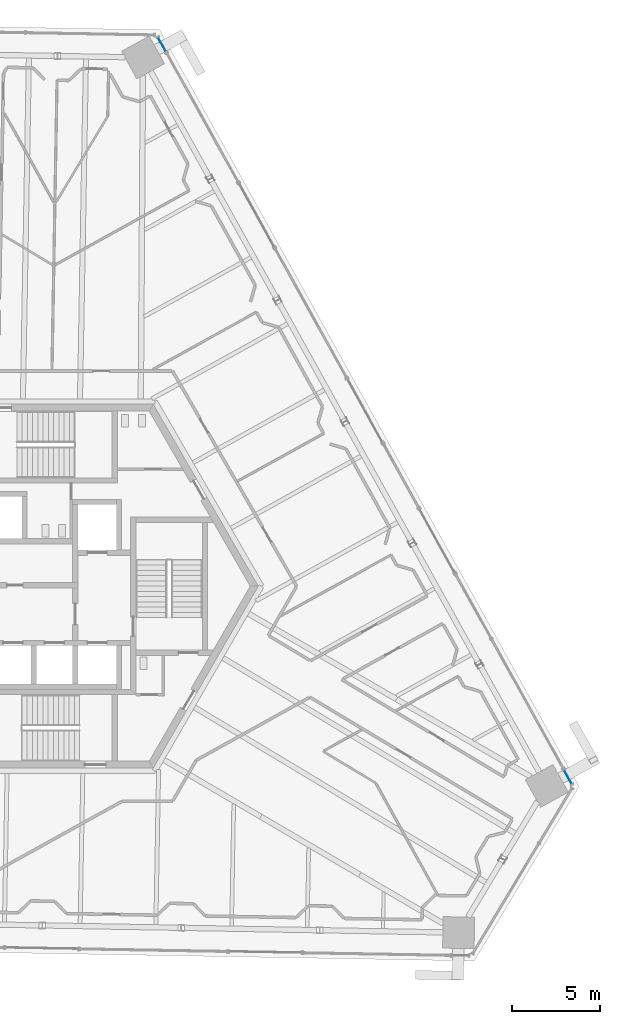
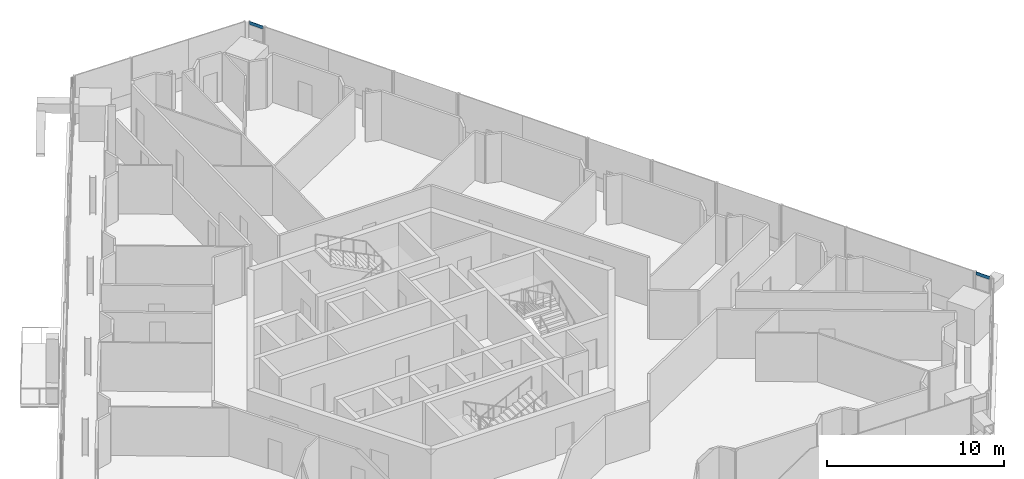
# One storey, part 14 of 24: 2 plates, 2 elements without a shape of their own.
"""IFC4 building model written with IfcOpenShell, lengths in metres."""

import ifcopenshell
import ifcopenshell.guid

model = None  # the IFC model being written
_history = None  # IfcOwnerHistory: only IFC2X3 demands one
_inside = {}  # id of a spatial element -> (the spatial element, [elements in it])
_under = {}  # id of a project, library or spatial element -> (it, [spatial elements below it])
_declared = {}  # id of a project -> (the project, [libraries it declares])
_typed = {}  # id of a type object -> (the type object, [elements of that type])
_made_of = {}  # id of a material, layer set ... -> (it, [elements and type objects made of it])


def new_model(schema):
    """Start an empty IFC model of exactly this schema.

    Asked for "IFC4X3", IfcOpenShell would pick the latest addendum, in which some entities
    have other attributes; the version numbers below select the first issue.
    IFC2X3 requires an IfcOwnerHistory on every rooted entity: one is made here for all.
    """
    global model, _history
    if schema == "IFC4X3":
        model = ifcopenshell.file(schema_version=(4, 3, 0, 0))
    else:
        model = ifcopenshell.file(schema=schema)
    _inside.clear()
    _under.clear()
    _declared.clear()
    _typed.clear()
    _made_of.clear()
    _history = None
    if model.schema == "IFC2X3":
        org = make("IfcOrganization", Name="unknown")
        user = make(
            "IfcPersonAndOrganization",
            ThePerson=make("IfcPerson", FamilyName="unknown"),
            TheOrganization=org,
        )
        app = make(
            "IfcApplication",
            ApplicationDeveloper=org,
            Version="unknown",
            ApplicationFullName="unknown",
            ApplicationIdentifier="unknown",
        )
        _history = make(
            "IfcOwnerHistory",
            OwningUser=user,
            OwningApplication=app,
            ChangeAction="ADDED",
            CreationDate=0,
        )
    return model


def make(cls, **values):
    """One entity of the class cls with the attributes given. An attribute that is None is left unset."""
    return model.create_entity(
        cls, **{name: value for name, value in values.items() if value is not None}
    )


def rooted(cls, **values):
    """An entity with a GlobalId (a new one), such as an element, a storey or a relation."""
    return make(cls, GlobalId=ifcopenshell.guid.new(), OwnerHistory=_history, **values)


def si_unit(unit_type, name, prefix=None):
    """IfcSIUnit, for example si_unit("LENGTHUNIT", "METRE", prefix="MILLI")."""
    return make("IfcSIUnit", UnitType=unit_type, Prefix=prefix, Name=name)


def assignment(units):
    """IfcUnitAssignment: the units of a project."""
    return None if units is None else make("IfcUnitAssignment", Units=units)


def point(xyz):
    """IfcCartesianPoint."""
    return None if xyz is None else make("IfcCartesianPoint", Coordinates=xyz)


def direction(xyz):
    """IfcDirection."""
    return None if xyz is None else make("IfcDirection", DirectionRatios=xyz)


def frame(location, z_axis=None, x_axis=None):
    """IfcAxis2Placement3D, a coordinate frame: its origin and axes. An axis left out is left unset."""
    return make(
        "IfcAxis2Placement3D",
        Location=point(location),
        Axis=direction(z_axis),
        RefDirection=direction(x_axis),
    )


def frame_2d(location, x_axis=None):
    """IfcAxis2Placement2D, a coordinate frame in the plane: its origin and x axis."""
    return make(
        "IfcAxis2Placement2D", Location=point(location), RefDirection=direction(x_axis)
    )


def origin():
    """The frame at (0, 0, 0) with its axes left unset."""
    return frame((0.0, 0.0, 0.0))


def origin_2d():
    """The frame at (0, 0) in the plane with its x axis left unset."""
    return frame_2d((0.0, 0.0))


def place(relative_to, where):
    """IfcLocalPlacement: puts the frame where relative to a parent placement (None: the world)."""
    return make(
        "IfcLocalPlacement", PlacementRelTo=relative_to, RelativePlacement=where
    )


def context(
    kind, dimensions, precision=None, world=None, true_north=None, identifier=None
):
    """IfcGeometricRepresentationContext, for example the 3D "Model" context."""
    return make(
        "IfcGeometricRepresentationContext",
        ContextIdentifier=identifier,
        ContextType=kind,
        CoordinateSpaceDimension=dimensions,
        Precision=precision,
        WorldCoordinateSystem=world,
        TrueNorth=true_north,
    )


def subcontext(parent, identifier, kind, view, scale=None):
    """IfcGeometricRepresentationSubContext, for example "Body" below "Model"."""
    return make(
        "IfcGeometricRepresentationSubContext",
        ContextIdentifier=identifier,
        ContextType=kind,
        ParentContext=parent,
        TargetScale=scale,
        TargetView=view,
    )


def project(units=None, contexts=None):
    """IfcProject with its units and contexts."""
    return rooted(
        "IfcProject",
        Name="project",
        RepresentationContexts=contexts,
        UnitsInContext=assignment(units),
    )


def spatial(cls, under=None, at=None, **own):
    """A site, building, storey or space (cls), placed at a placement, below another one or the project."""
    s = rooted(cls, ObjectPlacement=at, **own)
    if under is not None:
        _under.setdefault(under.id(), (under, []))[1].append(s)
    return s


def profile(cls, at=None, kind="AREA", **sizes):
    """A parametric profile (cls). Its sizes go by their IFC names, for example OverallWidth=200.0."""
    return make(cls, ProfileType=kind, Position=at, **sizes)


def rectangle(**sizes):
    """IfcRectangleProfileDef."""
    return profile("IfcRectangleProfileDef", **sizes)


def extrude(swept, where, along, depth):
    """IfcExtrudedAreaSolid: the profile swept, set in the frame where, extruded along a direction by depth."""
    return make(
        "IfcExtrudedAreaSolid",
        SweptArea=swept,
        Position=where,
        ExtrudedDirection=direction(along),
        Depth=depth,
    )


def shape(context_of_items, identifier, shape_type, items):
    """IfcShapeRepresentation: the items that make up one representation, for example the "Body"."""
    return make(
        "IfcShapeRepresentation",
        ContextOfItems=context_of_items,
        RepresentationIdentifier=identifier,
        RepresentationType=shape_type,
        Items=items,
    )


def source(mapping_origin, context_of_items, identifier, shape_type, items):
    """IfcRepresentationMap: a shape defined once, which mapped items show again and again."""
    return make(
        "IfcRepresentationMap",
        MappingOrigin=mapping_origin,
        MappedRepresentation=shape(context_of_items, identifier, shape_type, items),
    )


def transform(
    local_origin,
    x_axis=None,
    y_axis=None,
    z_axis=None,
    scale=None,
    scale2=None,
    scale3=None,
    uniform=True,
):
    """IfcCartesianTransformationOperator3D, or its non-uniform kind. x_axis, y_axis, z_axis: its Axis1, 2, 3."""
    if uniform:
        return make(
            "IfcCartesianTransformationOperator3D",
            Axis1=direction(x_axis),
            Axis2=direction(y_axis),
            LocalOrigin=point(local_origin),
            Scale=scale,
            Axis3=direction(z_axis),
        )
    return make(
        "IfcCartesianTransformationOperator3DnonUniform",
        Axis1=direction(x_axis),
        Axis2=direction(y_axis),
        LocalOrigin=point(local_origin),
        Scale=scale,
        Axis3=direction(z_axis),
        Scale2=scale2,
        Scale3=scale3,
    )


def mapped(mapping_source, mapping_target):
    """IfcMappedItem: shows the shape of a source again, moved by a transform."""
    return make(
        "IfcMappedItem", MappingSource=mapping_source, MappingTarget=mapping_target
    )


def material(Name=None, Category=None):
    """IfcMaterial."""
    return make("IfcMaterial", Name=Name, Category=Category)


def layer(
    of_material, thickness, ventilated=None, Name=None, Category=None, Priority=None
):
    """IfcMaterialLayer: one layer of a wall or slab, of a material (None: an air gap)."""
    return make(
        "IfcMaterialLayer",
        Material=of_material,
        LayerThickness=thickness,
        IsVentilated=ventilated,
        Name=Name,
        Category=Category,
        Priority=Priority,
    )


def layer_set(layers, Name=None):
    """IfcMaterialLayerSet."""
    return make("IfcMaterialLayerSet", MaterialLayers=layers, LayerSetName=Name)


def made_of(thing, what):
    """Note that an element or type object is made of a material, layer set ...; save() writes the relation."""
    if what is not None:
        _made_of.setdefault(what.id(), (what, []))[1].append(thing)
    return thing


def type_object(cls, material=None, **own):
    """A type object (cls), such as IfcWallType, which elements share."""
    return made_of(rooted(cls, **own), material)


def element(
    cls,
    number,
    at=None,
    inside=None,
    cuts=None,
    type_object=None,
    material=None,
    context=None,
    identifier="Body",
    shape_type=None,
    held_by="IfcProductDefinitionShape",
    body=None,
    shapes=None,
    **own,
):
    """One element of the class cls, such as IfcWall. Its Tag is "e" and its number.

    at: its placement. inside: the storey or other place that contains it. cuts: it is an
    opening in that element (IfcRelVoidsElement). A single representation is given by context,
    identifier, shape_type and body (its items); several are given by shapes. held_by: the class
    of the entity that holds the representations. save() writes the other relations.
    """
    e = rooted(cls, Tag="e%d" % number, ObjectPlacement=at, **own)
    if body is not None:
        shapes = [shape(context, identifier, shape_type, body)]
    if shapes is not None:
        e.Representation = make(held_by, Representations=shapes)
    if inside is not None:
        _inside.setdefault(inside.id(), (inside, []))[1].append(e)
    if cuts is not None:
        rooted(
            "IfcRelVoidsElement", RelatingBuildingElement=cuts, RelatedOpeningElement=e
        )
    if type_object is not None:
        _typed.setdefault(type_object.id(), (type_object, []))[1].append(e)
    return made_of(e, material)


def aggregate(whole, parts):
    """IfcRelAggregates: a whole, such as a stair, and the parts it consists of."""
    return rooted("IfcRelAggregates", RelatingObject=whole, RelatedObjects=parts)


def save(model, path):
    """Write the relations noted so far, then the file.

    IfcRelAggregates (storeys below a building ...), IfcRelContainedInSpatialStructure (elements
    in a storey), IfcRelDefinesByType, IfcRelAssociatesMaterial and IfcRelDeclares: one each for
    every whole, place, type object, material and project.
    """
    for whole, parts in _under.values():
        aggregate(whole, parts)
    for where, things in _inside.values():
        rooted(
            "IfcRelContainedInSpatialStructure",
            RelatedElements=things,
            RelatingStructure=where,
        )
    for kind, things in _typed.values():
        rooted("IfcRelDefinesByType", RelatedObjects=things, RelatingType=kind)
    for what, things in _made_of.values():
        rooted("IfcRelAssociatesMaterial", RelatedObjects=things, RelatingMaterial=what)
    for by, libraries in _declared.values():
        rooted("IfcRelDeclares", RelatingContext=by, RelatedDefinitions=libraries)
    model.write(path)


model = new_model("IFC4")

# Units and contexts
model_context = context("Model", 3, precision=1e-05, world=origin(), true_north=direction((0.0, 1.0)))
body_context = subcontext(model_context, "Body", "Model", "MODEL_VIEW")
ifc_project = project(units=[si_unit("LENGTHUNIT", "METRE"), si_unit("AREAUNIT", "SQUARE_METRE"), si_unit("VOLUMEUNIT", "CUBIC_METRE"), si_unit("PLANEANGLEUNIT", "RADIAN"), si_unit("MASSUNIT", "GRAM", prefix="KILO")], contexts=[model_context])

# Site, building, storey
site_placement = place(None, origin())
site = spatial("IfcSite", under=ifc_project, at=site_placement, CompositionType="ELEMENT")
building_placement = place(site_placement, origin())
building = spatial("IfcBuilding", under=site, at=building_placement, Name="Triune Harvest Tower", CompositionType="ELEMENT")
storey_placement = place(building_placement, frame((0.0, 0.0, 212.300048828125)))
storey = spatial("IfcBuildingStorey", under=building, at=storey_placement, Name="L55", CompositionType="ELEMENT", Elevation=212.300048828125)

# Curtain wall, plate
ifc_material_1 = material(Name="Aluminium bronze anodised", Category="aluminium")
curtain_wall_type = type_object("IfcCurtainWallType", Name="CW-1 Tower stick curtain wall", PredefinedType="NOTDEFINED", material=ifc_material_1)
curtain_wall_1_placement = place(storey_placement, origin())
curtain_wall_1 = element("IfcCurtainWall", 1, at=curtain_wall_1_placement, inside=storey, type_object=curtain_wall_type, Name="CW-1 B5-F1 L55 run 101")
ifc_material_2 = material(Name="Glass", Category="glass")
ifc_layer = layer(ifc_material_2, 0.031982421875)
ifc_layer_set = layer_set([ifc_layer], Name="Glass")
plate_type = type_object("IfcPlateType", Name="GL-1 panel 32", PredefinedType="CURTAIN_PANEL", material=ifc_layer_set)
shared_shape_1 = source(origin(), body_context, "Body", "SweptSolid", [
    extrude(rectangle(XDim=0.896728515625, YDim=0.031982421875, at=origin_2d()), origin(), (0.0, 0.0, 1.0), 0.215087890625),
])
plate_1_placement = place(storey_placement, frame((29.68115234375, -10.896484375, 3.134765625), z_axis=(0.0, 0.0, 1.0), x_axis=(-0.484791083337, 0.874629982059, 0.0)))
plate_1 = element("IfcPlate", 2, at=plate_1_placement, type_object=plate_type, Name="CW-1 panel B5-F1 101.1", PredefinedType="CURTAIN_PANEL", context=body_context, shape_type="MappedRepresentation", body=[
    mapped(shared_shape_1, transform((0.0, 0.0, 0.0), scale=1.0)),
])
aggregate(curtain_wall_1, [plate_1])

curtain_wall_2_placement = place(storey_placement, origin())
curtain_wall_2 = element("IfcCurtainWall", 3, at=curtain_wall_2_placement, inside=storey, type_object=curtain_wall_type, Name="CW-1 B5-F1 L55 run 401")
shared_shape_2 = source(origin(), body_context, "Body", "SweptSolid", [
    extrude(rectangle(XDim=0.89697265625, YDim=0.031982421875, at=origin_2d()), origin(), (0.0, 0.0, 1.0), 0.215087890625),
])
plate_2_placement = place(storey_placement, frame((6.48779296875, 30.9453125, 3.134765625), z_axis=(0.0, 0.0, 1.0), x_axis=(-0.484823649537, 0.874611930429, 0.0)))
plate_2 = element("IfcPlate", 4, at=plate_2_placement, type_object=plate_type, Name="CW-1 panel B5-F1 401.1", PredefinedType="CURTAIN_PANEL", context=body_context, shape_type="MappedRepresentation", body=[
    mapped(shared_shape_2, transform((0.0, 0.0, 0.0), scale=1.0)),
])
aggregate(curtain_wall_2, [plate_2])

save(model, "model.ifc")
